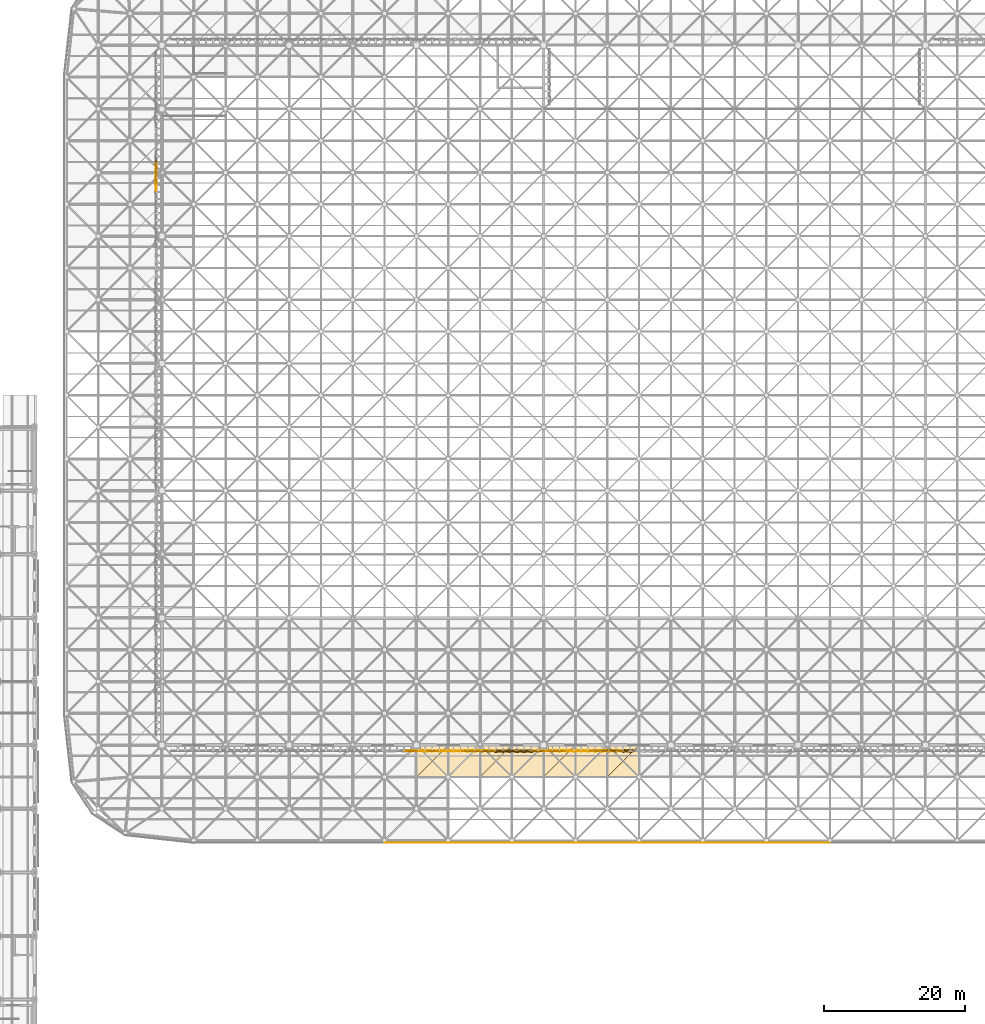
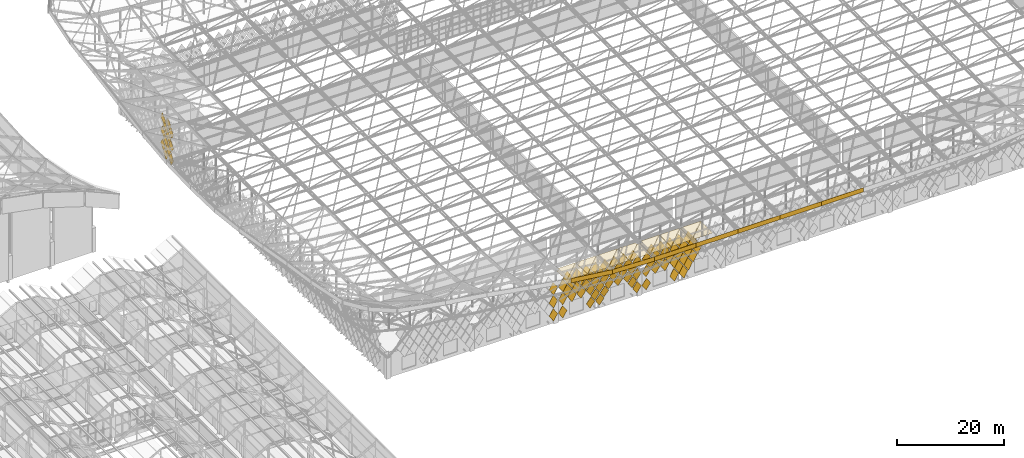
# One storey, part 413 of 437: 105 coverings.
"""IFC4 building model written with IfcOpenShell, lengths in metres."""

import ifcopenshell
import ifcopenshell.guid

model = None  # the IFC model being written
_history = None  # IfcOwnerHistory: only IFC2X3 demands one
_inside = {}  # id of a spatial element -> (the spatial element, [elements in it])
_under = {}  # id of a project, library or spatial element -> (it, [spatial elements below it])
_declared = {}  # id of a project -> (the project, [libraries it declares])
_typed = {}  # id of a type object -> (the type object, [elements of that type])
_made_of = {}  # id of a material, layer set ... -> (it, [elements and type objects made of it])


def new_model(schema):
    """Start an empty IFC model of exactly this schema.

    Asked for "IFC4X3", IfcOpenShell would pick the latest addendum, in which some entities
    have other attributes; the version numbers below select the first issue.
    IFC2X3 requires an IfcOwnerHistory on every rooted entity: one is made here for all.
    """
    global model, _history
    if schema == "IFC4X3":
        model = ifcopenshell.file(schema_version=(4, 3, 0, 0))
    else:
        model = ifcopenshell.file(schema=schema)
    _inside.clear()
    _under.clear()
    _declared.clear()
    _typed.clear()
    _made_of.clear()
    _history = None
    if model.schema == "IFC2X3":
        org = make("IfcOrganization", Name="unknown")
        user = make(
            "IfcPersonAndOrganization",
            ThePerson=make("IfcPerson", FamilyName="unknown"),
            TheOrganization=org,
        )
        app = make(
            "IfcApplication",
            ApplicationDeveloper=org,
            Version="unknown",
            ApplicationFullName="unknown",
            ApplicationIdentifier="unknown",
        )
        _history = make(
            "IfcOwnerHistory",
            OwningUser=user,
            OwningApplication=app,
            ChangeAction="ADDED",
            CreationDate=0,
        )
    return model


def make(cls, **values):
    """One entity of the class cls with the attributes given. An attribute that is None is left unset."""
    return model.create_entity(
        cls, **{name: value for name, value in values.items() if value is not None}
    )


def rooted(cls, **values):
    """An entity with a GlobalId (a new one), such as an element, a storey or a relation."""
    return make(cls, GlobalId=ifcopenshell.guid.new(), OwnerHistory=_history, **values)


def si_unit(unit_type, name, prefix=None):
    """IfcSIUnit, for example si_unit("LENGTHUNIT", "METRE", prefix="MILLI")."""
    return make("IfcSIUnit", UnitType=unit_type, Prefix=prefix, Name=name)


def assignment(units):
    """IfcUnitAssignment: the units of a project."""
    return None if units is None else make("IfcUnitAssignment", Units=units)


def point(xyz):
    """IfcCartesianPoint."""
    return None if xyz is None else make("IfcCartesianPoint", Coordinates=xyz)


def direction(xyz):
    """IfcDirection."""
    return None if xyz is None else make("IfcDirection", DirectionRatios=xyz)


def frame(location, z_axis=None, x_axis=None):
    """IfcAxis2Placement3D, a coordinate frame: its origin and axes. An axis left out is left unset."""
    return make(
        "IfcAxis2Placement3D",
        Location=point(location),
        Axis=direction(z_axis),
        RefDirection=direction(x_axis),
    )


def origin():
    """The frame at (0, 0, 0) with its axes left unset."""
    return frame((0.0, 0.0, 0.0))


def place(relative_to, where):
    """IfcLocalPlacement: puts the frame where relative to a parent placement (None: the world)."""
    return make(
        "IfcLocalPlacement", PlacementRelTo=relative_to, RelativePlacement=where
    )


def context(
    kind, dimensions, precision=None, world=None, true_north=None, identifier=None
):
    """IfcGeometricRepresentationContext, for example the 3D "Model" context."""
    return make(
        "IfcGeometricRepresentationContext",
        ContextIdentifier=identifier,
        ContextType=kind,
        CoordinateSpaceDimension=dimensions,
        Precision=precision,
        WorldCoordinateSystem=world,
        TrueNorth=true_north,
    )


def subcontext(parent, identifier, kind, view, scale=None):
    """IfcGeometricRepresentationSubContext, for example "Body" below "Model"."""
    return make(
        "IfcGeometricRepresentationSubContext",
        ContextIdentifier=identifier,
        ContextType=kind,
        ParentContext=parent,
        TargetScale=scale,
        TargetView=view,
    )


def project(units=None, contexts=None):
    """IfcProject with its units and contexts."""
    return rooted(
        "IfcProject",
        Name="project",
        RepresentationContexts=contexts,
        UnitsInContext=assignment(units),
    )


def spatial(cls, under=None, at=None, **own):
    """A site, building, storey or space (cls), placed at a placement, below another one or the project."""
    s = rooted(cls, ObjectPlacement=at, **own)
    if under is not None:
        _under.setdefault(under.id(), (under, []))[1].append(s)
    return s


def polyline(points):
    """IfcPolyline through the points."""
    return make("IfcPolyline", Points=[point(p) for p in points])


def outline(outer, holes=None, kind="AREA"):
    """IfcArbitraryClosedProfileDef: a profile drawn as a closed curve; with holes, ...WithVoids."""
    if holes is None:
        return make("IfcArbitraryClosedProfileDef", ProfileType=kind, OuterCurve=outer)
    return make(
        "IfcArbitraryProfileDefWithVoids",
        ProfileType=kind,
        OuterCurve=outer,
        InnerCurves=holes,
    )


def extrude(swept, where, along, depth):
    """IfcExtrudedAreaSolid: the profile swept, set in the frame where, extruded along a direction by depth."""
    return make(
        "IfcExtrudedAreaSolid",
        SweptArea=swept,
        Position=where,
        ExtrudedDirection=direction(along),
        Depth=depth,
    )


def shape(context_of_items, identifier, shape_type, items):
    """IfcShapeRepresentation: the items that make up one representation, for example the "Body"."""
    return make(
        "IfcShapeRepresentation",
        ContextOfItems=context_of_items,
        RepresentationIdentifier=identifier,
        RepresentationType=shape_type,
        Items=items,
    )


def material(Name=None, Category=None):
    """IfcMaterial."""
    return make("IfcMaterial", Name=Name, Category=Category)


def layer(
    of_material, thickness, ventilated=None, Name=None, Category=None, Priority=None
):
    """IfcMaterialLayer: one layer of a wall or slab, of a material (None: an air gap)."""
    return make(
        "IfcMaterialLayer",
        Material=of_material,
        LayerThickness=thickness,
        IsVentilated=ventilated,
        Name=Name,
        Category=Category,
        Priority=Priority,
    )


def layer_set(layers, Name=None):
    """IfcMaterialLayerSet."""
    return make("IfcMaterialLayerSet", MaterialLayers=layers, LayerSetName=Name)


def material_profile(
    of_material, cross_section, Name=None, Category=None, Priority=None
):
    """IfcMaterialProfile: a cross section and its material."""
    return make(
        "IfcMaterialProfile",
        Name=Name,
        Material=of_material,
        Profile=cross_section,
        Priority=Priority,
        Category=Category,
    )


def profile_set(profiles, Name=None, composite=None):
    """IfcMaterialProfileSet."""
    return make(
        "IfcMaterialProfileSet",
        Name=Name,
        MaterialProfiles=profiles,
        CompositeProfile=composite,
    )


def made_of(thing, what):
    """Note that an element or type object is made of a material, layer set ...; save() writes the relation."""
    if what is not None:
        _made_of.setdefault(what.id(), (what, []))[1].append(thing)
    return thing


def type_object(cls, material=None, **own):
    """A type object (cls), such as IfcWallType, which elements share."""
    return made_of(rooted(cls, **own), material)


def element(
    cls,
    number,
    at=None,
    inside=None,
    cuts=None,
    type_object=None,
    material=None,
    context=None,
    identifier="Body",
    shape_type=None,
    held_by="IfcProductDefinitionShape",
    body=None,
    shapes=None,
    **own,
):
    """One element of the class cls, such as IfcWall. Its Tag is "e" and its number.

    at: its placement. inside: the storey or other place that contains it. cuts: it is an
    opening in that element (IfcRelVoidsElement). A single representation is given by context,
    identifier, shape_type and body (its items); several are given by shapes. held_by: the class
    of the entity that holds the representations. save() writes the other relations.
    """
    e = rooted(cls, Tag="e%d" % number, ObjectPlacement=at, **own)
    if body is not None:
        shapes = [shape(context, identifier, shape_type, body)]
    if shapes is not None:
        e.Representation = make(held_by, Representations=shapes)
    if inside is not None:
        _inside.setdefault(inside.id(), (inside, []))[1].append(e)
    if cuts is not None:
        rooted(
            "IfcRelVoidsElement", RelatingBuildingElement=cuts, RelatedOpeningElement=e
        )
    if type_object is not None:
        _typed.setdefault(type_object.id(), (type_object, []))[1].append(e)
    return made_of(e, material)


def aggregate(whole, parts):
    """IfcRelAggregates: a whole, such as a stair, and the parts it consists of."""
    return rooted("IfcRelAggregates", RelatingObject=whole, RelatedObjects=parts)


def save(model, path):
    """Write the relations noted so far, then the file.

    IfcRelAggregates (storeys below a building ...), IfcRelContainedInSpatialStructure (elements
    in a storey), IfcRelDefinesByType, IfcRelAssociatesMaterial and IfcRelDeclares: one each for
    every whole, place, type object, material and project.
    """
    for whole, parts in _under.values():
        aggregate(whole, parts)
    for where, things in _inside.values():
        rooted(
            "IfcRelContainedInSpatialStructure",
            RelatedElements=things,
            RelatingStructure=where,
        )
    for kind, things in _typed.values():
        rooted("IfcRelDefinesByType", RelatedObjects=things, RelatingType=kind)
    for what, things in _made_of.values():
        rooted("IfcRelAssociatesMaterial", RelatedObjects=things, RelatingMaterial=what)
    for by, libraries in _declared.values():
        rooted("IfcRelDeclares", RelatingContext=by, RelatedDefinitions=libraries)
    model.write(path)


model = new_model("IFC4")

# Units and contexts
model_context = context("Model", 3, precision=1e-05, world=origin(), true_north=direction((0.0, 1.0)))
body_context = subcontext(model_context, "Body", "Model", "MODEL_VIEW")
ifc_project = project(units=[si_unit("LENGTHUNIT", "METRE"), si_unit("AREAUNIT", "SQUARE_METRE"), si_unit("VOLUMEUNIT", "CUBIC_METRE"), si_unit("PLANEANGLEUNIT", "RADIAN"), si_unit("MASSUNIT", "GRAM", prefix="KILO")], contexts=[model_context])

# Site, building, storey
site_placement = place(None, origin())
site = spatial("IfcSite", under=ifc_project, at=site_placement, CompositionType="ELEMENT")
building_placement = place(site_placement, origin())
building = spatial("IfcBuilding", under=site, at=building_placement, Name="Opaline Strait Convention Centre", CompositionType="ELEMENT")
storey_placement = place(building_placement, frame((0.0, 0.0, 11.5)))
storey = spatial("IfcBuildingStorey", under=building, at=storey_placement, Name="L02", CompositionType="ELEMENT", Elevation=11.5)

# Coverings
ifc_material_1 = material(Name="White ceramic-faced aluminium tile", Category="aluminium")
ifc_material_profile_1 = material_profile(ifc_material_1, outline(polyline([(0.927978515625, 0.0), (0.0, 1.39208984375), (-0.927978515625, 0.0), (0.0, -1.39208984375), (0.927978515625, 0.0)])), Name="Diamond tile 1856x2784")
ifc_profile_set_1 = profile_set([ifc_material_profile_1], Name="White ceramic-faced aluminium tile")
covering_type_1 = type_object("IfcCoveringType", Name="Diamond wall tile 1856x2784x30 pivot 2 deg", PredefinedType="CLADDING", material=ifc_profile_set_1)
for number, where, z_axis, x_axis, name in (
    (1, (98.199951171875, 135.25, 1.89208984375), (-0.999174794796, 0.0, -0.040616861577), (0.0, -1.0, 0.0), "Wall tile XT04 W"),
    (2, (98.199951171875, 133.25, 1.89208984375), (-0.999471633277, 0.0, 0.032503142546), (0.0, -1.0, 0.0), "Wall tile XT04 W"),
    (3, (98.199951171875, 134.25, 3.39208984375), (-0.999174794796, 0.0, -0.040616861577), (0.0, -1.0, 0.0), "Wall tile XT04 W"),
    (4, (98.199951171875, 133.25, 4.89208984375), (-0.999174794796, 0.0, -0.040616861577), (0.0, -1.0, 0.0), "Wall tile XT04 W"),
):
    element("IfcCovering", number, at=place(storey_placement, frame(where, z_axis=z_axis, x_axis=x_axis)), inside=storey, type_object=covering_type_1, Name=name, PredefinedType="CLADDING", context=body_context, shape_type="SweptSolid", body=[
        extrude(outline(polyline([(0.927978515625, 0.0), (0.0, 1.39208984375), (-0.927978515625, 0.0), (0.0, -1.39208984375), (0.927978515625, 0.0)])), origin(), (0.0, 0.0, 1.0), 0.030029296875),
    ])
ifc_material_profile_2 = material_profile(ifc_material_1, outline(polyline([(0.927978515625, 0.0), (0.0, 1.39208984375), (-0.927978515625, 0.0), (0.0, -1.39208984375), (0.927978515625, 0.0)])), Name="Diamond tile 1856x2784")
ifc_profile_set_2 = profile_set([ifc_material_profile_2], Name="White ceramic-faced aluminium tile")
covering_type_2 = type_object("IfcCoveringType", Name="Diamond wall tile 1856x2784x30 pivot 2.5 deg", PredefinedType="CLADDING", material=ifc_profile_set_2)
for number, where, z_axis, x_axis, name in (
    (5, (134.25, 53.199951171875, 2.39208984375), (0.0, -0.999174794796, 0.040616861577), (1.0, 0.0, 0.0), "Wall tile XT05 S"),
    (6, (136.25, 53.199951171875, 2.39208984375), (0.0, -0.999174794796, 0.040616861577), (1.0, 0.0, 0.0), "Wall tile XT05 S"),
    (7, (136.25, 53.199951171875, 5.39208984375), (0.0, -0.999174794796, 0.040616861577), (1.0, 0.0, 0.0), "Wall tile XT05 S"),
    (8, (138.25, 53.199951171875, 5.39208984375), (0.0, -0.999174794796, 0.040616861577), (1.0, 0.0, 0.0), "Wall tile XT05 S"),
    (9, (140.25, 53.199951171875, 5.39208984375), (0.0, -0.998812351125, -0.048722553713), (1.0, 0.0, 0.0), "Wall tile XT05 S"),
    (10, (139.25, 53.199951171875, 6.89208984375), (0.0, -0.999174794796, 0.040616861577), (1.0, 0.0, 0.0), "Wall tile XT05 S"),
    (11, (141.25, 53.199951171875, 6.89208984375), (0.0, -0.998812351125, -0.048722553713), (1.0, 0.0, 0.0), "Wall tile XT05 S"),
    (12, (140.25, 53.199951171875, 8.39208984375), (0.0, -0.999174794796, 0.040616861577), (1.0, 0.0, 0.0), "Wall tile XT05 S"),
    (13, (142.25, 53.199951171875, 8.39208984375), (0.0, -0.998812351125, -0.048722553713), (1.0, 0.0, 0.0), "Wall tile XT05 S"),
    (14, (141.25, 53.199951171875, 9.89208984375), (0.0, -0.999174794796, 0.040616861577), (1.0, 0.0, 0.0), "Wall tile XT05 S"),
    (15, (143.25, 53.199951171875, 9.89208984375), (0.0, -0.998812351125, -0.048722553713), (1.0, 0.0, 0.0), "Wall tile XT05 S"),
):
    element("IfcCovering", number, at=place(storey_placement, frame(where, z_axis=z_axis, x_axis=x_axis)), inside=storey, type_object=covering_type_2, Name=name, PredefinedType="CLADDING", context=body_context, shape_type="SweptSolid", body=[
        extrude(outline(polyline([(0.927978515625, 0.0), (0.0, 1.39208984375), (-0.927978515625, 0.0), (0.0, -1.39208984375), (0.927978515625, 0.0)])), origin(), (0.0, 0.0, 1.0), 0.030029296875),
    ])
ifc_material_profile_3 = material_profile(ifc_material_1, outline(polyline([(0.927978515625, 0.0), (0.0, 1.39208984375), (-0.927978515625, 0.0), (0.0, -1.39208984375), (0.927978515625, 0.0)])), Name="Diamond tile 1856x2784")
ifc_profile_set_3 = profile_set([ifc_material_profile_3], Name="White ceramic-faced aluminium tile")
covering_type_3 = type_object("IfcCoveringType", Name="Diamond wall tile 1856x2784x30 pivot 3 deg", PredefinedType="CLADDING", material=ifc_profile_set_3)
for number, where, z_axis, x_axis, name in (
    (16, (152.25, 53.199951171875, 2.39208984375), (0.0, -0.998384516691, -0.056818631031), (1.0, 0.0, 0.0), "Wall tile XT06 S"),
    (17, (154.25, 53.199951171875, 2.39208984375), (0.0, -0.998384516691, -0.056818631031), (1.0, 0.0, 0.0), "Wall tile XT06 S"),
    (18, (156.25, 53.199951171875, 5.39208984375), (0.0, -0.998384516691, -0.056818631031), (1.0, 0.0, 0.0), "Wall tile XT06 S"),
    (19, (158.25, 53.199951171875, 5.39208984375), (0.0, -0.998812351125, 0.048722553713), (1.0, 0.0, 0.0), "Wall tile XT06 S"),
    (20, (137.25, 53.199951171875, 6.89208984375), (0.0, -0.998812351125, 0.048722553713), (1.0, 0.0, 0.0), "Wall tile XT06 S"),
    (21, (157.25, 53.199951171875, 6.89208984375), (0.0, -0.998384516691, -0.056818631031), (1.0, 0.0, 0.0), "Wall tile XT06 S"),
    (22, (159.25, 53.199951171875, 6.89208984375), (0.0, -0.998812351125, 0.048722553713), (1.0, 0.0, 0.0), "Wall tile XT06 S"),
    (23, (138.25, 53.199951171875, 8.39208984375), (0.0, -0.998812351125, 0.048722553713), (1.0, 0.0, 0.0), "Wall tile XT06 S"),
    (24, (158.25, 53.199951171875, 8.39208984375), (0.0, -0.998384516691, -0.056818631031), (1.0, 0.0, 0.0), "Wall tile XT06 S"),
    (25, (160.25, 53.199951171875, 8.39208984375), (0.0, -0.998812351125, 0.048722553713), (1.0, 0.0, 0.0), "Wall tile XT06 S"),
    (26, (159.25, 53.199951171875, 9.89208984375), (0.0, -0.998384516691, -0.056818631031), (1.0, 0.0, 0.0), "Wall tile XT06 S"),
    (27, (161.25, 53.199951171875, 9.89208984375), (0.0, -0.998812351125, 0.048722553713), (1.0, 0.0, 0.0), "Wall tile XT06 S"),
):
    element("IfcCovering", number, at=place(storey_placement, frame(where, z_axis=z_axis, x_axis=x_axis)), inside=storey, type_object=covering_type_3, Name=name, PredefinedType="CLADDING", context=body_context, shape_type="SweptSolid", body=[
        extrude(outline(polyline([(0.927978515625, 0.0), (0.0, 1.39208984375), (-0.927978515625, 0.0), (0.0, -1.39208984375), (0.927978515625, 0.0)])), origin(), (0.0, 0.0, 1.0), 0.030029296875),
    ])
ifc_material_profile_4 = material_profile(ifc_material_1, outline(polyline([(0.927978515625, 0.0), (0.0, 1.39208984375), (-0.927978515625, 0.0), (0.0, -1.39208984375), (0.927978515625, 0.0)])), Name="Diamond tile 1856x2784")
ifc_profile_set_4 = profile_set([ifc_material_profile_4], Name="White ceramic-faced aluminium tile")
covering_type_4 = type_object("IfcCoveringType", Name="Diamond wall tile 1856x2784x30 pivot 3.5 deg", PredefinedType="CLADDING", material=ifc_profile_set_4)
for number, where, z_axis, x_axis, name in (
    (28, (154.25, 53.199951171875, 5.39208984375), (0.0, -0.99785694905, -0.065433242561), (1.0, 0.0, 0.0), "Wall tile XT07 S"),
    (29, (155.25, 53.199951171875, 6.89208984375), (0.0, -0.99785694905, -0.065433242561), (1.0, 0.0, 0.0), "Wall tile XT07 S"),
    (30, (156.25, 53.199951171875, 8.39208984375), (0.0, -0.99785694905, -0.065433242561), (1.0, 0.0, 0.0), "Wall tile XT07 S"),
    (31, (139.25, 53.199951171875, 9.89208984375), (0.0, -0.99835799028, 0.057282835508), (1.0, 0.0, 0.0), "Wall tile XT07 S"),
    (32, (157.25, 53.199951171875, 9.89208984375), (0.0, -0.99785694905, -0.065433242561), (1.0, 0.0, 0.0), "Wall tile XT07 S"),
    (33, (98.199951171875, 136.25, 3.39208984375), (-0.99785694905, 0.0, -0.065433242561), (0.0, -1.0, 0.0), "Wall tile XT07 W"),
    (34, (98.199951171875, 135.25, 4.89208984375), (-0.99785694905, 0.0, -0.065433242561), (0.0, -1.0, 0.0), "Wall tile XT07 W"),
    (35, (98.199951171875, 134.25, 6.39208984375), (-0.99785694905, 0.0, -0.065433242561), (0.0, -1.0, 0.0), "Wall tile XT07 W"),
    (36, (98.199951171875, 133.25, 7.89208984375), (-0.99785694905, 0.0, -0.065433242561), (0.0, -1.0, 0.0), "Wall tile XT07 W"),
):
    element("IfcCovering", number, at=place(storey_placement, frame(where, z_axis=z_axis, x_axis=x_axis)), inside=storey, type_object=covering_type_4, Name=name, PredefinedType="CLADDING", context=body_context, shape_type="SweptSolid", body=[
        extrude(outline(polyline([(0.927978515625, 0.0), (0.0, 1.39208984375), (-0.927978515625, 0.0), (0.0, -1.39208984375), (0.927978515625, 0.0)])), origin(), (0.0, 0.0, 1.0), 0.02978515625),
    ])
ifc_material_profile_5 = material_profile(ifc_material_1, outline(polyline([(0.927978515625, 0.0), (0.0, 1.39208984375), (-0.927978515625, 0.0), (0.0, -1.39208984375), (0.927978515625, 0.0)])), Name="Diamond tile 1856x2784")
ifc_profile_set_5 = profile_set([ifc_material_profile_5], Name="White ceramic-faced aluminium tile")
covering_type_5 = type_object("IfcCoveringType", Name="Diamond wall tile 1856x2784x30 pivot 4 deg", PredefinedType="CLADDING", material=ifc_profile_set_5)
for number, where, z_axis, x_axis, name in (
    (37, (142.25, 53.199951171875, 5.39208984375), (0.0, -0.997290013252, -0.073570574748), (1.0, 0.0, 0.0), "Wall tile XT08 S"),
    (38, (143.25, 53.199951171875, 6.89208984375), (0.0, -0.997290013252, -0.073570574748), (1.0, 0.0, 0.0), "Wall tile XT08 S"),
    (39, (144.25, 53.199951171875, 8.39208984375), (0.0, -0.997290013252, -0.073570574748), (1.0, 0.0, 0.0), "Wall tile XT08 S"),
    (40, (145.25, 53.199951171875, 9.89208984375), (0.0, -0.997290013252, -0.073570574748), (1.0, 0.0, 0.0), "Wall tile XT08 S"),
    (41, (163.25, 53.199951171875, 9.89208984375), (0.0, -0.99785694905, 0.065433242561), (1.0, 0.0, 0.0), "Wall tile XT08 S"),
):
    element("IfcCovering", number, at=place(storey_placement, frame(where, z_axis=z_axis, x_axis=x_axis)), inside=storey, type_object=covering_type_5, Name=name, PredefinedType="CLADDING", context=body_context, shape_type="SweptSolid", body=[
        extrude(outline(polyline([(0.927978515625, 0.0), (0.0, 1.39208984375), (-0.927978515625, 0.0), (0.0, -1.39208984375), (0.927978515625, 0.0)])), origin(), (0.0, 0.0, 1.0), 0.02978515625),
    ])
ifc_material_profile_6 = material_profile(ifc_material_1, outline(polyline([(0.927978515625, 0.0), (0.0, 1.39208984375), (-0.927978515625, 0.0), (0.0, -1.39208984375), (0.927978515625, 0.0)])), Name="Diamond tile 1856x2784")
ifc_profile_set_6 = profile_set([ifc_material_profile_6], Name="White ceramic-faced aluminium tile")
covering_type_6 = type_object("IfcCoveringType", Name="Diamond wall tile 1856x2784x30 pivot 4.5 deg", PredefinedType="CLADDING", material=ifc_profile_set_6)
for number, where, z_axis, x_axis, name in (
    (42, (134.25, 53.199951171875, 5.39208984375), (0.0, -0.997290013252, 0.073570574748), (1.0, 0.0, 0.0), "Wall tile XT09 S"),
    (43, (160.25, 53.199951171875, 5.39208984375), (0.0, -0.997290013252, 0.073570574748), (1.0, 0.0, 0.0), "Wall tile XT09 S"),
    (44, (161.25, 53.199951171875, 6.89208984375), (0.0, -0.997290013252, 0.073570574748), (1.0, 0.0, 0.0), "Wall tile XT09 S"),
    (45, (136.25, 53.199951171875, 8.39208984375), (0.0, -0.997290013252, 0.073570574748), (1.0, 0.0, 0.0), "Wall tile XT09 S"),
    (46, (162.25, 53.199951171875, 8.39208984375), (0.0, -0.997290013252, 0.073570574748), (1.0, 0.0, 0.0), "Wall tile XT09 S"),
):
    element("IfcCovering", number, at=place(storey_placement, frame(where, z_axis=z_axis, x_axis=x_axis)), inside=storey, type_object=covering_type_6, Name=name, PredefinedType="CLADDING", context=body_context, shape_type="SweptSolid", body=[
        extrude(outline(polyline([(0.927978515625, 0.0), (0.0, 1.39208984375), (-0.927978515625, 0.0), (0.0, -1.39208984375), (0.927978515625, 0.0)])), origin(), (0.0, 0.0, 1.0), 0.02978515625),
    ])
ifc_material_profile_7 = material_profile(ifc_material_1, outline(polyline([(0.927978515625, 0.0), (0.0, 1.39208984375), (-0.927978515625, 0.0), (0.0, -1.39208984375), (0.927978515625, 0.0)])), Name="Diamond tile 1856x2784")
ifc_profile_set_7 = profile_set([ifc_material_profile_7], Name="White ceramic-faced aluminium tile")
covering_type_7 = type_object("IfcCoveringType", Name="Diamond wall tile 1856x2784x30 pivot 5 deg", PredefinedType="CLADDING", material=ifc_profile_set_7)
for number, where, z_axis, x_axis, name in (
    (47, (151.25, 53.199951171875, 3.89208984375), (0.0, -0.995959849254, -0.089799658539), (1.0, 0.0, 0.0), "Wall tile XT10 S"),
    (48, (152.25, 53.199951171875, 5.39208984375), (0.0, -0.995959849254, -0.089799658539), (1.0, 0.0, 0.0), "Wall tile XT10 S"),
    (49, (137.25, 53.199951171875, 9.89208984375), (0.0, -0.996657521232, 0.081693239445), (1.0, 0.0, 0.0), "Wall tile XT10 S"),
    (50, (98.199951171875, 136.25, 6.39208984375), (-0.995959849254, 0.0, -0.089799658539), (0.0, -1.0, 0.0), "Wall tile XT10 W"),
    (51, (98.199951171875, 135.25, 7.89208984375), (-0.995959849254, 0.0, -0.089799658539), (0.0, -1.0, 0.0), "Wall tile XT10 W"),
    (52, (98.199951171875, 134.25, 9.39208984375), (-0.995959849254, 0.0, -0.089799658539), (0.0, -1.0, 0.0), "Wall tile XT10 W"),
):
    element("IfcCovering", number, at=place(storey_placement, frame(where, z_axis=z_axis, x_axis=x_axis)), inside=storey, type_object=covering_type_7, Name=name, PredefinedType="CLADDING", context=body_context, shape_type="SweptSolid", body=[
        extrude(outline(polyline([(0.927978515625, 0.0), (0.0, 1.39208984375), (-0.927978515625, 0.0), (0.0, -1.39208984375), (0.927978515625, 0.0)])), origin(), (0.0, 0.0, 1.0), 0.02978515625),
    ])
ifc_material_profile_8 = material_profile(ifc_material_1, outline(polyline([(0.927978515625, 0.0), (0.0, 1.39208984375), (-0.927978515625, 0.0), (0.0, -1.39208984375), (0.927978515625, 0.0)])), Name="Diamond tile 1856x2784")
ifc_profile_set_8 = profile_set([ifc_material_profile_8], Name="White ceramic-faced aluminium tile")
covering_type_8 = type_object("IfcCoveringType", Name="Diamond wall tile 1856x2784x30 pivot 6 deg", PredefinedType="CLADDING", material=ifc_profile_set_8)
for number, where, z_axis, x_axis, name in (
    (53, (142.25, 53.199951171875, 2.39208984375), (0.0, -0.994370656274, -0.105957528947), (1.0, 0.0, 0.0), "Wall tile XT12 S"),
    (54, (143.25, 53.199951171875, 3.89208984375), (0.0, -0.994370656274, -0.105957528947), (1.0, 0.0, 0.0), "Wall tile XT12 S"),
    (55, (144.25, 53.199951171875, 5.39208984375), (0.0, -0.994370656274, -0.105957528947), (1.0, 0.0, 0.0), "Wall tile XT12 S"),
    (56, (145.25, 53.199951171875, 6.89208984375), (0.0, -0.994370656274, -0.105957528947), (1.0, 0.0, 0.0), "Wall tile XT12 S"),
    (57, (134.25, 53.199951171875, 8.39208984375), (0.0, -0.995197410875, 0.097888269922), (1.0, 0.0, 0.0), "Wall tile XT12 S"),
    (58, (146.25, 53.199951171875, 8.39208984375), (0.0, -0.994370656274, -0.105957528947), (1.0, 0.0, 0.0), "Wall tile XT12 S"),
    (59, (154.25, 53.199951171875, 8.39208984375), (0.0, -0.994370656274, -0.105957528947), (1.0, 0.0, 0.0), "Wall tile XT12 S"),
    (60, (147.25, 53.199951171875, 9.89208984375), (0.0, -0.994370656274, -0.105957528947), (1.0, 0.0, 0.0), "Wall tile XT12 S"),
    (61, (155.25, 53.199951171875, 9.89208984375), (0.0, -0.994370656274, -0.105957528947), (1.0, 0.0, 0.0), "Wall tile XT12 S"),
    (62, (98.199951171875, 136.25, 9.39208984375), (-0.994370656274, 0.0, -0.105957528947), (0.0, -1.0, 0.0), "Wall tile XT12 W"),
):
    element("IfcCovering", number, at=place(storey_placement, frame(where, z_axis=z_axis, x_axis=x_axis)), inside=storey, type_object=covering_type_8, Name=name, PredefinedType="CLADDING", context=body_context, shape_type="SweptSolid", body=[
        extrude(outline(polyline([(0.927978515625, 0.0), (0.0, 1.39208984375), (-0.927978515625, 0.0), (0.0, -1.39208984375), (0.927978515625, 0.0)])), origin(), (0.0, 0.0, 1.0), 0.030029296875),
    ])
ifc_material_profile_9 = material_profile(ifc_material_1, outline(polyline([(0.927978515625, 0.0), (0.0, 1.39208984375), (-0.927978515625, 0.0), (0.0, -1.39208984375), (0.927978515625, 0.0)])), Name="Diamond tile 1856x2784")
ifc_profile_set_9 = profile_set([ifc_material_profile_9], Name="White ceramic-faced aluminium tile")
covering_type_9 = type_object("IfcCoveringType", Name="Diamond wall tile 1856x2784x30 pivot 6.5 deg", PredefinedType="CLADDING", material=ifc_profile_set_9)
for number, where, z_axis, x_axis, name in (
    (63, (161.25, 53.199951171875, 3.89208984375), (0.0, -0.993480071526, 0.114005909847), (1.0, 0.0, 0.0), "Wall tile XT13 S"),
    (64, (162.25, 53.199951171875, 5.39208984375), (0.0, -0.993480071526, 0.114005909847), (1.0, 0.0, 0.0), "Wall tile XT13 S"),
    (65, (163.25, 53.199951171875, 6.89208984375), (0.0, -0.993480071526, 0.114005909847), (1.0, 0.0, 0.0), "Wall tile XT13 S"),
    (66, (164.25, 53.199951171875, 8.39208984375), (0.0, -0.993480071526, 0.114005909847), (1.0, 0.0, 0.0), "Wall tile XT13 S"),
):
    element("IfcCovering", number, at=place(storey_placement, frame(where, z_axis=z_axis, x_axis=x_axis)), inside=storey, type_object=covering_type_9, Name=name, PredefinedType="CLADDING", context=body_context, shape_type="SweptSolid", body=[
        extrude(outline(polyline([(0.927978515625, 0.0), (0.0, 1.39208984375), (-0.927978515625, 0.0), (0.0, -1.39208984375), (0.927978515625, 0.0)])), origin(), (0.0, 0.0, 1.0), 0.030029296875),
    ])
ifc_material_profile_10 = material_profile(ifc_material_1, outline(polyline([(0.927978515625, 0.0), (0.0, 1.39208984375), (-0.927978515625, 0.0), (0.0, -1.39208984375), (0.927978515625, 0.0)])), Name="Diamond tile 1856x2784")
ifc_profile_set_10 = profile_set([ifc_material_profile_10], Name="White ceramic-faced aluminium tile")
covering_type_10 = type_object("IfcCoveringType", Name="Diamond wall tile 1856x2784x30 pivot 7 deg", PredefinedType="CLADDING", material=ifc_profile_set_10)
for number, where, z_axis, x_axis, name in (
    (67, (144.25, 53.199951171875, 2.39208984375), (0.0, -0.992526177815, -0.122031907108), (1.0, 0.0, 0.0), "Wall tile XT14 S"),
    (68, (160.25, 53.199951171875, 2.39208984375), (0.0, -0.992526177815, 0.122031907108), (1.0, 0.0, 0.0), "Wall tile XT14 S"),
    (69, (150.25, 53.199951171875, 5.39208984375), (0.0, -0.992526177815, -0.122031907108), (1.0, 0.0, 0.0), "Wall tile XT14 S"),
    (70, (147.25, 53.199951171875, 6.89208984375), (0.0, -0.992526177815, -0.122031907108), (1.0, 0.0, 0.0), "Wall tile XT14 S"),
    (71, (151.25, 53.199951171875, 6.89208984375), (0.0, -0.992526177815, -0.122031907108), (1.0, 0.0, 0.0), "Wall tile XT14 S"),
    (72, (148.25, 53.199951171875, 8.39208984375), (0.0, -0.992526177815, -0.122031907108), (1.0, 0.0, 0.0), "Wall tile XT14 S"),
    (73, (152.25, 53.199951171875, 8.39208984375), (0.0, -0.992526177815, -0.122031907108), (1.0, 0.0, 0.0), "Wall tile XT14 S"),
    (74, (149.25, 53.199951171875, 9.89208984375), (0.0, -0.992526177815, -0.122031907108), (1.0, 0.0, 0.0), "Wall tile XT14 S"),
):
    element("IfcCovering", number, at=place(storey_placement, frame(where, z_axis=z_axis, x_axis=x_axis)), inside=storey, type_object=covering_type_10, Name=name, PredefinedType="CLADDING", context=body_context, shape_type="SweptSolid", body=[
        extrude(outline(polyline([(0.927978515625, 0.0), (0.0, 1.39208984375), (-0.927978515625, 0.0), (0.0, -1.39208984375), (0.927978515625, 0.0)])), origin(), (0.0, 0.0, 1.0), 0.030029296875),
    ])
ifc_material_profile_11 = material_profile(ifc_material_1, outline(polyline([(0.927978515625, 0.0), (0.0, 1.39208984375), (-0.927978515625, 0.0), (0.0, -1.39208984375), (0.927978515625, 0.0)])), Name="Diamond tile 1856x2784")
ifc_profile_set_11 = profile_set([ifc_material_profile_11], Name="White ceramic-faced aluminium tile")
covering_type_11 = type_object("IfcCoveringType", Name="Diamond wall tile 1856x2784x30 pivot 7.5 deg", PredefinedType="CLADDING", material=ifc_profile_set_11)
for number, where, z_axis, x_axis, name in (
    (75, (145.25, 53.199951171875, 3.89208984375), (0.0, -0.991509530601, -0.1300340368), (1.0, 0.0, 0.0), "Wall tile XT15 S"),
    (76, (146.25, 53.199951171875, 5.39208984375), (0.0, -0.991509530601, -0.1300340368), (1.0, 0.0, 0.0), "Wall tile XT15 S"),
    (77, (148.25, 53.199951171875, 5.39208984375), (0.0, -0.991509530601, -0.1300340368), (1.0, 0.0, 0.0), "Wall tile XT15 S"),
    (78, (149.25, 53.199951171875, 6.89208984375), (0.0, -0.991509530601, -0.1300340368), (1.0, 0.0, 0.0), "Wall tile XT15 S"),
    (79, (150.25, 53.199951171875, 8.39208984375), (0.0, -0.991509530601, -0.1300340368), (1.0, 0.0, 0.0), "Wall tile XT15 S"),
    (80, (151.25, 53.199951171875, 9.89208984375), (0.0, -0.991509530601, -0.1300340368), (1.0, 0.0, 0.0), "Wall tile XT15 S"),
):
    element("IfcCovering", number, at=place(storey_placement, frame(where, z_axis=z_axis, x_axis=x_axis)), inside=storey, type_object=covering_type_11, Name=name, PredefinedType="CLADDING", context=body_context, shape_type="SweptSolid", body=[
        extrude(outline(polyline([(0.927978515625, 0.0), (0.0, 1.39208984375), (-0.927978515625, 0.0), (0.0, -1.39208984375), (0.927978515625, 0.0)])), origin(), (0.0, 0.0, 1.0), 0.030029296875),
    ])
ifc_material_profile_12 = material_profile(ifc_material_1, outline(polyline([(0.927978515625, 0.0), (0.0, 1.39208984375), (-0.927978515625, 0.0), (0.0, -1.39208984375), (0.927978515625, 0.0)])), Name="Diamond tile 1856x2784")
ifc_profile_set_12 = profile_set([ifc_material_profile_12], Name="White ceramic-faced aluminium tile")
covering_type_12 = type_object("IfcCoveringType", Name="Diamond wall tile 1856x2784x30 pivot 8 deg", PredefinedType="CLADDING", material=ifc_profile_set_12)
for number, where, z_axis, x_axis, name in (
    (81, (162.25, 53.199951171875, 2.39208984375), (0.0, -0.990274204789, 0.139129433731), (1.0, 0.0, 0.0), "Wall tile XT16 S"),
    (82, (163.25, 53.199951171875, 3.89208984375), (0.0, -0.990274204789, 0.139129433731), (1.0, 0.0, 0.0), "Wall tile XT16 S"),
    (83, (164.25, 53.199951171875, 5.39208984375), (0.0, -0.990274204789, 0.139129433731), (1.0, 0.0, 0.0), "Wall tile XT16 S"),
    (84, (165.25, 53.199951171875, 6.89208984375), (0.0, -0.990274204789, 0.139129433731), (1.0, 0.0, 0.0), "Wall tile XT16 S"),
):
    element("IfcCovering", number, at=place(storey_placement, frame(where, z_axis=z_axis, x_axis=x_axis)), inside=storey, type_object=covering_type_12, Name=name, PredefinedType="CLADDING", context=body_context, shape_type="SweptSolid", body=[
        extrude(outline(polyline([(0.927978515625, 0.0), (0.0, 1.39208984375), (-0.927978515625, 0.0), (0.0, -1.39208984375), (0.927978515625, 0.0)])), origin(), (0.0, 0.0, 1.0), 0.02978515625),
    ])
ifc_material_2 = material(Name="White aluminium fascia plate", Category="aluminium")
ifc_layer_1 = layer(ifc_material_2, 0.02001953125)
ifc_layer_set_1 = layer_set([ifc_layer_1], Name="White aluminium fascia plate")
covering_type_13 = type_object("IfcCoveringType", Name="Edge fascia plate 20 aluminium", PredefinedType="CLADDING", material=ifc_layer_set_1)
covering_1_placement = place(storey_placement, frame((135.0, 40.199951171875, 18.79638671875), z_axis=(0.0, -1.0, 0.0), x_axis=(1.0, 0.0, 0.0)))
element("IfcCovering", 85, at=covering_1_placement, inside=storey, type_object=covering_type_13, Name="Edge fascia plate S", PredefinedType="CLADDING", context=body_context, shape_type="SweptSolid", body=[
    extrude(outline(polyline([(-4.5, 1.043701171875), (4.5, -0.043701171875), (4.5, -1.043701171875), (-4.5, 0.043701171875), (-4.5, 1.043701171875)])), origin(), (0.0, 0.0, 1.0), 0.02001953125),
])
covering_2_placement = place(storey_placement, frame((144.0, 40.199951171875, 18.12646484375), z_axis=(0.0, -1.0, 0.0), x_axis=(1.0, 0.0, 0.0)))
element("IfcCovering", 86, at=covering_2_placement, inside=storey, type_object=covering_type_13, Name="Edge fascia plate S", PredefinedType="CLADDING", context=body_context, shape_type="SweptSolid", body=[
    extrude(outline(polyline([(-4.5, 0.62646484375), (4.5, 0.373779296875), (4.5, -0.626220703125), (-4.5, -0.37353515625), (-4.5, 0.62646484375)])), origin(), (0.0, 0.0, 1.0), 0.02001953125),
])
for number, where, z_axis, x_axis, name in (
    (87, (153.0, 40.199951171875, 18.0), (0.0, -1.0, 0.0), (1.0, 0.0, 0.0), "Edge fascia plate S"),
    (88, (162.0, 40.199951171875, 18.0), (0.0, -1.0, 0.0), (1.0, 0.0, 0.0), "Edge fascia plate S"),
    (89, (171.0, 40.199951171875, 18.0), (0.0, -1.0, 0.0), (1.0, 0.0, 0.0), "Edge fascia plate S"),
    (90, (180.0, 40.199951171875, 18.0), (0.0, -1.0, 0.0), (1.0, 0.0, 0.0), "Edge fascia plate S"),
    (91, (189.0, 40.199951171875, 18.0), (0.0, -1.0, 0.0), (1.0, 0.0, 0.0), "Edge fascia plate S"),
):
    element("IfcCovering", number, at=place(storey_placement, frame(where, z_axis=z_axis, x_axis=x_axis)), inside=storey, type_object=covering_type_13, Name=name, PredefinedType="CLADDING", context=body_context, shape_type="SweptSolid", body=[
        extrude(outline(polyline([(-4.5, 0.5), (4.5, 0.5), (4.5, -0.5), (-4.5, -0.5), (-4.5, 0.5)])), origin(), (0.0, 0.0, 1.0), 0.02001953125),
    ])
ifc_material_3 = material(Name="White aluminium soffit panel", Category="aluminium")
ifc_layer_2 = layer(ifc_material_3, 0.011962890625)
ifc_layer_set_2 = layer_set([ifc_layer_2], Name="White aluminium soffit panel")
covering_type_14 = type_object("IfcCoveringType", Name="Soffit lining panel 12 aluminium", PredefinedType="CEILING", material=ifc_layer_set_2)
covering_3_placement = place(storey_placement, frame((135.04833984375, 49.52001953125, 12.218017578125), z_axis=(0.02499471987, 0.026040754402, 0.999348359227), x_axis=(0.706646194878, 0.706646194878, -0.036087539811)))
element("IfcCovering", 92, at=covering_3_placement, inside=storey, type_object=covering_type_14, Name="Soffit lining panel", PredefinedType="CEILING", context=body_context, shape_type="SweptSolid", body=[
    extrude(outline(polyline([(0.0, 0.0), (6.271371242247661, -2.9162327934428856e-16), (3.1356019219958506, -3.133643994918511), (0.0, 0.0)])), origin(), (0.0, 0.0, -1.0), 0.011962890625),
])
covering_4_placement = place(storey_placement, frame((135.02001953125, 53.39990234375, 12.0205078125), z_axis=(-1.9333429e-05, 0.05100733674, 0.998698278373), x_axis=(0.999999999813, 9.86147e-07, 1.9308263e-05)))
element("IfcCovering", 93, at=covering_4_placement, inside=storey, type_object=covering_type_14, Name="Soffit lining panel", PredefinedType="CEILING", context=body_context, shape_type="SweptSolid", body=[
    extrude(outline(polyline([(0.0, 0.0), (0.5800781248915888, 0.0), (0.580078126548054, 0.5808298333994333), (4.431640625828233, 0.5808298333994333), (1.2228203203578854e-09, -3.85658592675168), (0.0, 0.0)])), origin(), (0.0, 0.0, -1.0), 0.011962890625),
])
covering_5_placement = place(storey_placement, frame((139.54833984375, 49.52001953125, 12.10595703125), z_axis=(0.025058225174, 0.000991314402, 0.999685501869), x_axis=(0.706986779386, 0.706986779386, -0.018422473923)))
element("IfcCovering", 94, at=covering_5_placement, inside=storey, type_object=covering_type_14, Name="Soffit lining panel", PredefinedType="CEILING", context=body_context, shape_type="SweptSolid", body=[
    extrude(outline(polyline([(0.0, 0.0), (6.268350065676911, 5.342948306008566e-16), (3.1351577746724812, -3.1340970005163706), (0.0, 0.0)])), origin(), (0.0, 0.0, -1.0), 0.011962890625),
])
covering_6_placement = place(storey_placement, frame((139.52001953125, 49.54833984375, 12.105712890625), z_axis=(0.0, 0.02599385811, 0.999662102583), x_axis=(0.0, 0.999662102583, -0.02599385811)))
element("IfcCovering", 95, at=covering_6_placement, inside=storey, type_object=covering_type_14, Name="Soffit lining panel", PredefinedType="CEILING", context=body_context, shape_type="SweptSolid", body=[
    extrude(outline(polyline([(0.0, 0.0), (4.433138571072647, 0.0), (4.433138571072647, -4.431640625), (0.0, 0.0)])), origin(), (0.0, 0.0, -1.0), 0.011962890625),
])
covering_7_placement = place(storey_placement, frame((144.04833984375, 49.52001953125, 11.994384765625), z_axis=(0.000495813012, 0.000495813012, 0.999999754169), x_axis=(0.707106607358, 0.707106607358, -0.000701185485)))
element("IfcCovering", 96, at=covering_7_placement, inside=storey, type_object=covering_type_14, Name="Soffit lining panel", PredefinedType="CEILING", context=body_context, shape_type="SweptSolid", body=[
    extrude(outline(polyline([(0.0, 0.0), (6.2672878161295325, 0.0), (3.1336439080647662, -3.1336431377192895), (0.0, 0.0)])), origin(), (0.0, 0.0, -1.0), 0.011962890625),
])
covering_8_placement = place(storey_placement, frame((144.02001953125, 49.54833984375, 11.994384765625), z_axis=(0.0, 0.00099162578, 0.999999508339), x_axis=(0.0, 0.999999508339, -0.00099162578)))
element("IfcCovering", 97, at=covering_8_placement, inside=storey, type_object=covering_type_14, Name="Soffit lining panel", PredefinedType="CEILING", context=body_context, shape_type="SweptSolid", body=[
    extrude(outline(polyline([(0.0, 0.0), (4.431642803865774, 0.0), (4.431642803865774, -4.431640625), (0.0, 0.0)])), origin(), (0.0, 0.0, -1.0), 0.011962890625),
])
covering_9_placement = place(storey_placement, frame((152.97998046875, 53.39990234375, 11.989990234375), z_axis=(0.000489907839, 6.745019e-06, 0.999999879972), x_axis=(3.304e-09, -0.999999999977, 6.745018e-06)))
element("IfcCovering", 98, at=covering_9_placement, inside=storey, type_object=covering_type_14, Name="Soffit lining panel", PredefinedType="CEILING", context=body_context, shape_type="SweptSolid", body=[
    extrude(outline(polyline([(0.0, 0.0), (3.879882812411742, -1.604681920738857e-24), (3.8798828125882587, -4.431641169639274), (-1.7651633734630715e-10, -0.5517578658927911), (0.0, 0.0)])), origin(), (0.0, 0.0, -1.0), 0.011962890625),
])
covering_10_placement = place(storey_placement, frame((152.39990234375, 53.97998046875, 11.989990234375), z_axis=(6.745019e-06, 0.000489907839, 0.999999879972), x_axis=(3.2e-10, -0.999999879995, 0.000489907839)))
element("IfcCovering", 99, at=covering_10_placement, inside=storey, type_object=covering_type_14, Name="Soffit lining panel", PredefinedType="CEILING", context=body_context, shape_type="SweptSolid", body=[
    extrude(outline(polyline([(0.0, 0.0), (0.5517578658927911, -4.1359030627651384e-25), (4.431641168398037, -3.8798828140060126), (-1.2412377706145486e-09, -3.879882812411742), (0.0, 0.0)])), origin(), (0.0, 0.0, -1.0), 0.011962890625),
])
covering_11_placement = place(storey_placement, frame((153.04833984375, 49.52001953125, 11.989990234375), z_axis=(0.0, 0.0, 1.0), x_axis=(0.707106781187, 0.707106781187, 0.0)))
element("IfcCovering", 100, at=covering_11_placement, inside=storey, type_object=covering_type_14, Name="Soffit lining panel", PredefinedType="CEILING", context=body_context, shape_type="SweptSolid", body=[
    extrude(outline(polyline([(0.0, 0.0), (6.26728627543858, 0.0), (3.13364313771929, -3.13364313771929), (0.0, 0.0)])), origin(), (0.0, 0.0, -1.0), 0.011962890625),
])
covering_12_placement = place(storey_placement, frame((153.60009765625, 53.97998046875, 11.989990234375), z_axis=(0.0, 0.0, 1.0), x_axis=(1.0, 0.0, 0.0)))
element("IfcCovering", 101, at=covering_12_placement, inside=storey, type_object=covering_type_14, Name="Soffit lining panel", PredefinedType="CEILING", context=body_context, shape_type="SweptSolid", body=[
    extrude(outline(polyline([(0.0, 0.0), (3.8515625, 0.0), (-0.580078125, -4.431640625), (-0.580078125, -0.580078125), (0.0, -0.580078125), (0.0, 0.0)])), origin(), (0.0, 0.0, -1.0), 0.011962890625),
])
covering_13_placement = place(storey_placement, frame((157.54833984375, 49.52001953125, 11.989990234375), z_axis=(0.0, 0.0, 1.0), x_axis=(0.707106781187, 0.707106781187, 0.0)))
element("IfcCovering", 102, at=covering_13_placement, inside=storey, type_object=covering_type_14, Name="Soffit lining panel", PredefinedType="CEILING", context=body_context, shape_type="SweptSolid", body=[
    extrude(outline(polyline([(0.0, 0.0), (6.26728627543858, 0.0), (3.13364313771929, -3.13364313771929), (0.0, 0.0)])), origin(), (0.0, 0.0, -1.0), 0.011962890625),
])
covering_14_placement = place(storey_placement, frame((157.52001953125, 49.54833984375, 11.989990234375), z_axis=(0.0, 0.0, 1.0), x_axis=(0.0, 1.0, 0.0)))
element("IfcCovering", 103, at=covering_14_placement, inside=storey, type_object=covering_type_14, Name="Soffit lining panel", PredefinedType="CEILING", context=body_context, shape_type="SweptSolid", body=[
    extrude(outline(polyline([(0.0, 0.0), (4.431640625, 0.0), (4.431640625, -4.431640625), (0.0, 0.0)])), origin(), (0.0, 0.0, -1.0), 0.011962890625),
])
covering_15_placement = place(storey_placement, frame((162.04833984375, 49.52001953125, 11.989990234375), z_axis=(0.0, 0.0, 1.0), x_axis=(0.707106781187, 0.707106781187, 0.0)))
element("IfcCovering", 104, at=covering_15_placement, inside=storey, type_object=covering_type_14, Name="Soffit lining panel", PredefinedType="CEILING", context=body_context, shape_type="SweptSolid", body=[
    extrude(outline(polyline([(0.0, 0.0), (6.26728627543858, 0.0), (3.13364313771929, -3.13364313771929), (0.0, 0.0)])), origin(), (0.0, 0.0, -1.0), 0.011962890625),
])
covering_16_placement = place(storey_placement, frame((162.02001953125, 49.54833984375, 11.989990234375), z_axis=(0.0, 0.0, 1.0), x_axis=(0.0, 1.0, 0.0)))
element("IfcCovering", 105, at=covering_16_placement, inside=storey, type_object=covering_type_14, Name="Soffit lining panel", PredefinedType="CEILING", context=body_context, shape_type="SweptSolid", body=[
    extrude(outline(polyline([(0.0, 0.0), (4.431640625, 0.0), (4.431640625, -4.431640625), (0.0, 0.0)])), origin(), (0.0, 0.0, -1.0), 0.011962890625),
])

save(model, "model.ifc")
